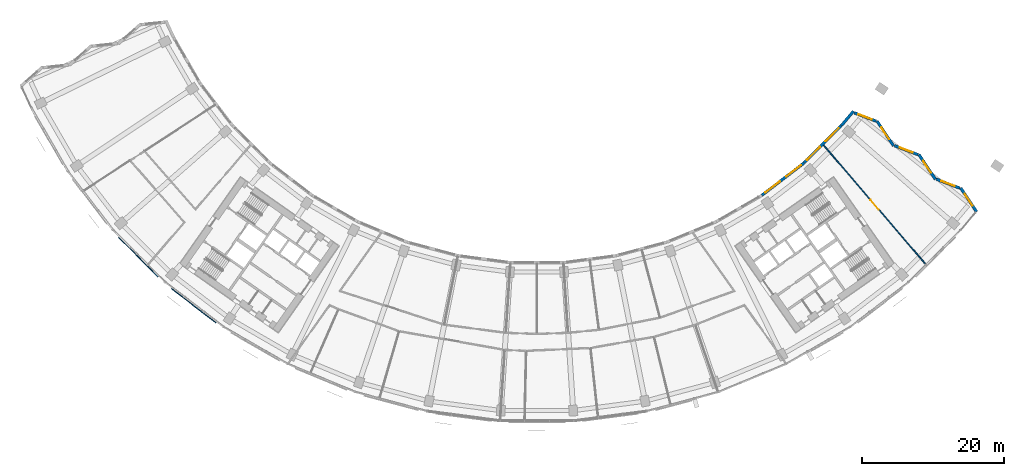
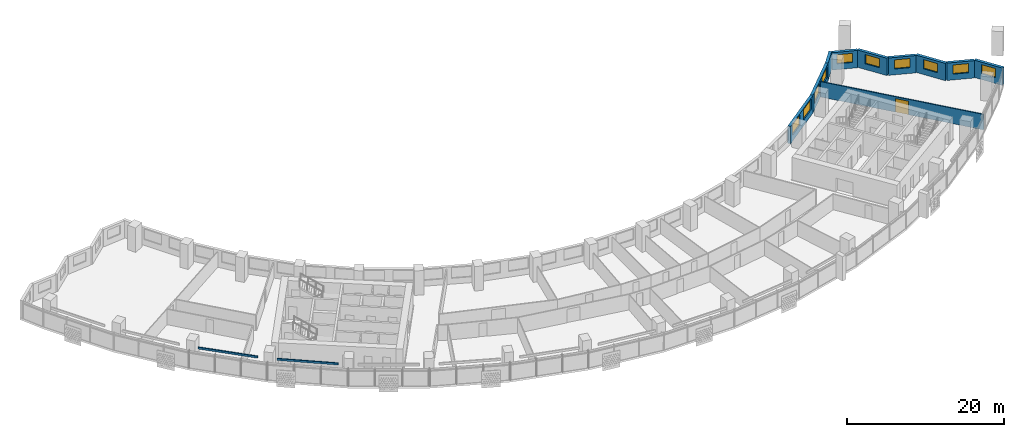
# One storey, part 8 of 29: 10 walls, 10 windows, 2 discrete accessories, 1 door, 11 openings.
"""IFC4 building model written with IfcOpenShell, lengths in metres."""

from ifc_helpers import new_model, si_unit, direction, frame, frame_2d, origin, origin_2d, place, context, subcontext, project, spatial, rectangle, extrude, material, layer, layer_set, type_object, element, fill, save


model = new_model("IFC4")

# Units and contexts
model_context = context("Model", 3, precision=1e-05, world=origin(), true_north=direction((0.0, 1.0)))
body_context = subcontext(model_context, "Body", "Model", "MODEL_VIEW")
ifc_project = project(units=[si_unit("LENGTHUNIT", "METRE"), si_unit("AREAUNIT", "SQUARE_METRE"), si_unit("VOLUMEUNIT", "CUBIC_METRE"), si_unit("PLANEANGLEUNIT", "RADIAN"), si_unit("MASSUNIT", "GRAM", prefix="KILO")], contexts=[model_context])

# Site, building, storey
site_placement = place(None, origin())
site = spatial("IfcSite", under=ifc_project, at=site_placement, CompositionType="ELEMENT")
building_placement = place(site_placement, origin())
building = spatial("IfcBuilding", under=site, at=building_placement, Name="Qamariyya Broadcast Tower", CompositionType="ELEMENT")
storey_placement = place(building_placement, frame((0.0, 0.0, 136.699951171875)))
storey = spatial("IfcBuildingStorey", under=building, at=storey_placement, Name="L31", CompositionType="ELEMENT", Elevation=136.699951171875)

# Wall, opening, door
ifc_material_1 = material(Name="Gypsum board partition")
ifc_layer_1 = layer(ifc_material_1, 0.14990234375)
ifc_layer_set_1 = layer_set([ifc_layer_1], Name="Corridor partition 150 EI 60")
wall_type_1 = type_object("IfcWallType", Name="Corridor partition 150 EI 60", PredefinedType="PARTITIONING", material=ifc_layer_set_1)
wall_1_placement = place(storey_placement, frame((40.267578125, -40.310791015625, 0.0), z_axis=(0.0, 0.0, 1.0), x_axis=(0.650987681244, -0.759088294514, 0.0)))
wall_1 = element("IfcWall", 1, at=wall_1_placement, inside=storey, type_object=wall_type_1, Name="Partition L31-040", PredefinedType="PARTITIONING", context=body_context, shape_type="SweptSolid", body=[
    extrude(rectangle(XDim=22.017822265625, YDim=0.14990234375, at=frame_2d((11.0087890625, 0.0))), origin(), (0.0, 0.0, 1.0), 2.400146484375),
])
opening_1_placement = place(wall_1_placement, frame((10.10888671875, 0.0, 0.0)))
opening_1 = element("IfcOpeningElement", 2, at=opening_1_placement, cuts=wall_1, Name="Opening L31-D19", PredefinedType="OPENING", context=body_context, shape_type="SweptSolid", body=[
    extrude(rectangle(XDim=1.800048828125, YDim=2.10009765625, at=frame_2d((0.89990234375, 1.050048828125))), frame((0.0, 0.0849609375, 0.0), z_axis=(0.0, -1.0, 0.0), x_axis=(1.0, 0.0, 0.0)), (0.0, 0.0, 1.0), 0.169921875),
])
ifc_material_2 = material(Name="Timber fire door leaf", Category="wood")
door_type = type_object("IfcDoorType", Name="Double fire door 1800 x 2100 FD60", OperationType="NOTDEFINED", PredefinedType="DOOR", material=ifc_material_2)
door_placement = place(opening_1_placement, origin())
door = element("IfcDoor", 3, at=door_placement, inside=storey, type_object=door_type, Name="Door L31-D19", OperationType="DOUBLE_DOOR_SINGLE_SWING", OverallHeight=2.10009765625, OverallWidth=1.800048828125, PredefinedType="DOOR", context=body_context, shape_type="SweptSolid", body=[
    extrude(rectangle(XDim=1.800048828125, YDim=2.10009765625, at=frame_2d((0.89990234375, 1.050048828125))), frame((0.0, 0.02490234375, 0.0), z_axis=(0.0, -1.0, 0.0), x_axis=(1.0, 0.0, 0.0)), (0.0, 0.0, 1.0), 0.050048828125),
])
fill(opening_1, door)

# Wall, opening, window
ifc_material_3 = material(Name="Terracotta", Category="masonry")
ifc_layer_2 = layer(ifc_material_3, 0.39990234375)
ifc_layer_set_2 = layer_set([ifc_layer_2], Name="Terracotta clad wall 400")
wall_type_2 = type_object("IfcWallType", Name="Terracotta clad wall 400", PredefinedType="SOLIDWALL", material=ifc_layer_set_2)
wall_2_placement = place(storey_placement, frame((61.756591796875, -49.649169921875, 0.0), z_axis=(0.0, 0.0, 1.0), x_axis=(-0.555008985058, 0.831844352331, 0.0)))
wall_2 = element("IfcWall", 4, at=wall_2_placement, inside=storey, type_object=wall_type_2, Name="e-wl-L31-capE0", PredefinedType="SOLIDWALL", context=body_context, shape_type="SweptSolid", body=[
    extrude(rectangle(XDim=4.013427734375, YDim=0.39990234375, at=frame_2d((2.0068359375, 0.0))), origin(), (0.0, 0.0, 1.0), 2.699951171875),
])
opening_2_placement = place(wall_2_placement, frame((1.0068359375, 0.0, 0.89990234375)))
opening_2 = element("IfcOpeningElement", 5, at=opening_2_placement, cuts=wall_2, Name="Opening W4", PredefinedType="OPENING", context=body_context, shape_type="SweptSolid", body=[
    extrude(rectangle(XDim=2.0, YDim=1.425048828125, at=frame_2d((1.0, 0.71240234375))), frame((0.0, 0.2099609375, 0.0), z_axis=(0.0, -1.0, 0.0), x_axis=(1.0, 0.0, 0.0)), (0.0, 0.0, 1.0), 0.419921875),
])
ifc_material_4 = material(Name="Clear low-e double glazed unit in aluminium frame", Category="aluminium")
window_type_1 = type_object("IfcWindowType", Name="Horn bay window 2000 x 1425", PartitioningType="SINGLE_PANEL", PredefinedType="WINDOW", material=ifc_material_4)
window_1_placement = place(opening_2_placement, origin())
window_1 = element("IfcWindow", 6, at=window_1_placement, inside=storey, type_object=window_type_1, Name="e-w-L31-capE0", OverallHeight=1.425048828125, OverallWidth=2.0, PartitioningType="SINGLE_PANEL", PredefinedType="WINDOW", context=body_context, shape_type="SweptSolid", body=[
    extrude(rectangle(XDim=2.0, YDim=1.425048828125, at=frame_2d((1.0, 0.71240234375))), frame((0.0, 0.030029296875, 0.0), z_axis=(0.0, -1.0, 0.0), x_axis=(1.0, 0.0, 0.0)), (0.0, 0.0, 1.0), 0.06005859375),
])
fill(opening_2, window_1)

wall_3_placement = place(storey_placement, frame((59.3974609375, -46.33154296875, 0.0), z_axis=(0.0, 0.0, 1.0), x_axis=(-0.933908409225, 0.357512353884, 0.0)))
wall_3 = element("IfcWall", 7, at=wall_3_placement, inside=storey, type_object=wall_type_2, Name="e-wl-L31-capE1", PredefinedType="SOLIDWALL", context=body_context, shape_type="SweptSolid", body=[
    extrude(rectangle(XDim=3.525634765625, YDim=0.39990234375, at=frame_2d((1.7626953125, 0.0))), origin(), (0.0, 0.0, 1.0), 2.699951171875),
])
opening_3_placement = place(wall_3_placement, frame((0.762939453125, 0.0, 0.89990234375)))
opening_3 = element("IfcOpeningElement", 8, at=opening_3_placement, cuts=wall_3, Name="Opening W4", PredefinedType="OPENING", context=body_context, shape_type="SweptSolid", body=[
    extrude(rectangle(XDim=2.0, YDim=1.425048828125, at=frame_2d((1.0, 0.71240234375))), frame((0.0, 0.2099609375, 0.0), z_axis=(0.0, -1.0, 0.0), x_axis=(1.0, 0.0, 0.0)), (0.0, 0.0, 1.0), 0.419921875),
])
window_2_placement = place(opening_3_placement, origin())
window_2 = element("IfcWindow", 9, at=window_2_placement, inside=storey, type_object=window_type_1, Name="e-w-L31-capE1", OverallHeight=1.425048828125, OverallWidth=2.0, PartitioningType="SINGLE_PANEL", PredefinedType="WINDOW", context=body_context, shape_type="SweptSolid", body=[
    extrude(rectangle(XDim=2.0, YDim=1.425048828125, at=frame_2d((1.0, 0.71240234375))), frame((0.0, 0.030029296875, 0.0), z_axis=(0.0, -1.0, 0.0), x_axis=(1.0, 0.0, 0.0)), (0.0, 0.0, 1.0), 0.06005859375),
])
fill(opening_3, window_2)

wall_4_placement = place(storey_placement, frame((55.97314453125, -45.091796875, 0.0), z_axis=(0.0, 0.0, 1.0), x_axis=(-0.555062932656, 0.831808355808, 0.0)))
wall_4 = element("IfcWall", 10, at=wall_4_placement, inside=storey, type_object=wall_type_2, Name="e-wl-L31-capE2", PredefinedType="SOLIDWALL", context=body_context, shape_type="SweptSolid", body=[
    extrude(rectangle(XDim=4.193115234375, YDim=0.39990234375, at=frame_2d((2.0966796875, 0.0))), origin(), (0.0, 0.0, 1.0), 2.699951171875),
])
opening_4_placement = place(wall_4_placement, frame((1.0966796875, 0.0, 0.89990234375)))
opening_4 = element("IfcOpeningElement", 11, at=opening_4_placement, cuts=wall_4, Name="Opening W4", PredefinedType="OPENING", context=body_context, shape_type="SweptSolid", body=[
    extrude(rectangle(XDim=2.0, YDim=1.425048828125, at=frame_2d((1.0, 0.71240234375))), frame((0.0, 0.2099609375, 0.0), z_axis=(0.0, -1.0, 0.0), x_axis=(1.0, 0.0, 0.0)), (0.0, 0.0, 1.0), 0.419921875),
])
window_3_placement = place(opening_4_placement, origin())
window_3 = element("IfcWindow", 12, at=window_3_placement, inside=storey, type_object=window_type_1, Name="e-w-L31-capE2", OverallHeight=1.425048828125, OverallWidth=2.0, PartitioningType="SINGLE_PANEL", PredefinedType="WINDOW", context=body_context, shape_type="SweptSolid", body=[
    extrude(rectangle(XDim=2.0, YDim=1.425048828125, at=frame_2d((1.0, 0.71240234375))), frame((0.0, 0.030029296875, 0.0), z_axis=(0.0, -1.0, 0.0), x_axis=(1.0, 0.0, 0.0)), (0.0, 0.0, 1.0), 0.06005859375),
])
fill(opening_4, window_3)

wall_5_placement = place(storey_placement, frame((53.51416015625, -41.624755859375, 0.0), z_axis=(0.0, 0.0, 1.0), x_axis=(-0.933951221747, 0.357400497198, 0.0)))
wall_5 = element("IfcWall", 13, at=wall_5_placement, inside=storey, type_object=wall_type_2, Name="e-wl-L31-capE3", PredefinedType="SOLIDWALL", context=body_context, shape_type="SweptSolid", body=[
    extrude(rectangle(XDim=3.52490234375, YDim=0.39990234375, at=frame_2d((1.762451171875, 0.0))), origin(), (0.0, 0.0, 1.0), 2.699951171875),
])
opening_5_placement = place(wall_5_placement, frame((0.762451171875, 0.0, 0.89990234375)))
opening_5 = element("IfcOpeningElement", 14, at=opening_5_placement, cuts=wall_5, Name="Opening W4", PredefinedType="OPENING", context=body_context, shape_type="SweptSolid", body=[
    extrude(rectangle(XDim=2.0, YDim=1.425048828125, at=frame_2d((1.0, 0.71240234375))), frame((0.0, 0.2099609375, 0.0), z_axis=(0.0, -1.0, 0.0), x_axis=(1.0, 0.0, 0.0)), (0.0, 0.0, 1.0), 0.419921875),
])
window_4_placement = place(opening_5_placement, origin())
window_4 = element("IfcWindow", 15, at=window_4_placement, inside=storey, type_object=window_type_1, Name="e-w-L31-capE3", OverallHeight=1.425048828125, OverallWidth=2.0, PartitioningType="SINGLE_PANEL", PredefinedType="WINDOW", context=body_context, shape_type="SweptSolid", body=[
    extrude(rectangle(XDim=2.0, YDim=1.425048828125, at=frame_2d((1.0, 0.71240234375))), frame((0.0, 0.030029296875, 0.0), z_axis=(0.0, -1.0, 0.0), x_axis=(1.0, 0.0, 0.0)), (0.0, 0.0, 1.0), 0.06005859375),
])
fill(opening_5, window_4)

wall_6_placement = place(storey_placement, frame((50.0908203125, -40.3857421875, 0.0), z_axis=(0.0, 0.0, 1.0), x_axis=(-0.555223937366, 0.83170089538, 0.0)))
wall_6 = element("IfcWall", 16, at=wall_6_placement, inside=storey, type_object=wall_type_2, Name="e-wl-L31-capE4", PredefinedType="SOLIDWALL", context=body_context, shape_type="SweptSolid", body=[
    extrude(rectangle(XDim=4.1943359375, YDim=0.39990234375, at=frame_2d((2.09716796875, 0.0))), origin(), (0.0, 0.0, 1.0), 2.699951171875),
])
opening_6_placement = place(wall_6_placement, frame((1.09716796875, 0.0, 0.89990234375)))
opening_6 = element("IfcOpeningElement", 17, at=opening_6_placement, cuts=wall_6, Name="Opening W4", PredefinedType="OPENING", context=body_context, shape_type="SweptSolid", body=[
    extrude(rectangle(XDim=2.0, YDim=1.425048828125, at=frame_2d((1.0, 0.71240234375))), frame((0.0, 0.2099609375, 0.0), z_axis=(0.0, -1.0, 0.0), x_axis=(1.0, 0.0, 0.0)), (0.0, 0.0, 1.0), 0.419921875),
])
window_5_placement = place(opening_6_placement, origin())
window_5 = element("IfcWindow", 18, at=window_5_placement, inside=storey, type_object=window_type_1, Name="e-w-L31-capE4", OverallHeight=1.425048828125, OverallWidth=2.0, PartitioningType="SINGLE_PANEL", PredefinedType="WINDOW", context=body_context, shape_type="SweptSolid", body=[
    extrude(rectangle(XDim=2.0, YDim=1.425048828125, at=frame_2d((1.0, 0.71240234375))), frame((0.0, 0.030029296875, 0.0), z_axis=(0.0, -1.0, 0.0), x_axis=(1.0, 0.0, 0.0)), (0.0, 0.0, 1.0), 0.06005859375),
])
fill(opening_6, window_5)

wall_7_placement = place(storey_placement, frame((47.630615234375, -36.91796875, 0.0), z_axis=(0.0, 0.0, 1.0), x_axis=(-0.933983809283, 0.357315328522, 0.0)))
wall_7 = element("IfcWall", 19, at=wall_7_placement, inside=storey, type_object=wall_type_2, Name="e-wl-L31-capE5", PredefinedType="SOLIDWALL", context=body_context, shape_type="SweptSolid", body=[
    extrude(rectangle(XDim=3.275634765625, YDim=0.39990234375, at=frame_2d((1.6376953125, 0.0))), origin(), (0.0, 0.0, 1.0), 2.699951171875),
])
opening_7_placement = place(wall_7_placement, frame((0.6376953125, 0.0, 0.89990234375)))
opening_7 = element("IfcOpeningElement", 20, at=opening_7_placement, cuts=wall_7, Name="Opening W4", PredefinedType="OPENING", context=body_context, shape_type="SweptSolid", body=[
    extrude(rectangle(XDim=2.0, YDim=1.425048828125, at=frame_2d((1.0, 0.71240234375))), frame((0.0, 0.2099609375, 0.0), z_axis=(0.0, -1.0, 0.0), x_axis=(1.0, 0.0, 0.0)), (0.0, 0.0, 1.0), 0.419921875),
])
window_6_placement = place(opening_7_placement, origin())
window_6 = element("IfcWindow", 21, at=window_6_placement, inside=storey, type_object=window_type_1, Name="e-w-L31-capE5", OverallHeight=1.425048828125, OverallWidth=2.0, PartitioningType="SINGLE_PANEL", PredefinedType="WINDOW", context=body_context, shape_type="SweptSolid", body=[
    extrude(rectangle(XDim=2.0, YDim=1.425048828125, at=frame_2d((1.0, 0.71240234375))), frame((0.0, 0.030029296875, 0.0), z_axis=(0.0, -1.0, 0.0), x_axis=(1.0, 0.0, 0.0)), (0.0, 0.0, 1.0), 0.06005859375),
])
fill(opening_7, window_6)

# Wall, openings, windows
wall_8_placement = place(storey_placement, frame((37.536865234375, -42.764892578125, 0.0), z_axis=(0.0, 0.0, 1.0), x_axis=(-0.793363487476, -0.608748204711, 0.0)))
wall_8 = element("IfcWall", 22, at=wall_8_placement, inside=storey, type_object=wall_type_2, Name="e-wl-L31-in140", PredefinedType="SOLIDWALL", context=body_context, shape_type="SweptSolid", body=[
    extrude(rectangle(XDim=7.492919921875, YDim=0.39990234375, at=frame_2d((3.74658203125, 0.0))), origin(), (0.0, 0.0, 1.0), 2.699951171875),
])
opening_8_placement = place(wall_8_placement, frame((4.300537109375, 0.0, 0.89990234375)))
opening_8 = element("IfcOpeningElement", 23, at=opening_8_placement, cuts=wall_8, Name="Opening W1", PredefinedType="OPENING", context=body_context, shape_type="SweptSolid", body=[
    extrude(rectangle(XDim=2.60009765625, YDim=1.64990234375, at=frame_2d((1.300048828125, 0.824951171875))), frame((0.0, 0.2099609375, 0.0), z_axis=(0.0, -1.0, 0.0), x_axis=(1.0, 0.0, 0.0)), (0.0, 0.0, 1.0), 0.419921875),
])
opening_9_placement = place(wall_8_placement, frame((0.59228515625, 0.0, 0.89990234375)))
opening_9 = element("IfcOpeningElement", 24, at=opening_9_placement, cuts=wall_8, Name="Opening W1", PredefinedType="OPENING", context=body_context, shape_type="SweptSolid", body=[
    extrude(rectangle(XDim=2.60009765625, YDim=1.64990234375, at=frame_2d((1.300048828125, 0.824951171875))), frame((0.0, 0.2099609375, 0.0), z_axis=(0.0, -1.0, 0.0), x_axis=(1.0, 0.0, 0.0)), (0.0, 0.0, 1.0), 0.419921875),
])
window_type_2 = type_object("IfcWindowType", Name="Ribbon window 2600 x 1650", PartitioningType="SINGLE_PANEL", PredefinedType="WINDOW", material=ifc_material_4)
window_7_placement = place(opening_8_placement, origin())
window_7 = element("IfcWindow", 25, at=window_7_placement, inside=storey, type_object=window_type_2, Name="e-w-L31-in14-0", OverallHeight=1.64990234375, OverallWidth=2.60009765625, PartitioningType="SINGLE_PANEL", PredefinedType="WINDOW", context=body_context, shape_type="SweptSolid", body=[
    extrude(rectangle(XDim=2.60009765625, YDim=1.64990234375, at=frame_2d((1.300048828125, 0.824951171875))), frame((0.0, 0.030029296875, 0.0), z_axis=(0.0, -1.0, 0.0), x_axis=(1.0, 0.0, 0.0)), (0.0, 0.0, 1.0), 0.06005859375),
])
fill(opening_8, window_7)
window_8_placement = place(opening_9_placement, origin())
window_8 = element("IfcWindow", 26, at=window_8_placement, inside=storey, type_object=window_type_2, Name="e-w-L31-in14-1", OverallHeight=1.64990234375, OverallWidth=2.60009765625, PartitioningType="SINGLE_PANEL", PredefinedType="WINDOW", context=body_context, shape_type="SweptSolid", body=[
    extrude(rectangle(XDim=2.60009765625, YDim=1.64990234375, at=frame_2d((1.300048828125, 0.824951171875))), frame((0.0, 0.030029296875, 0.0), z_axis=(0.0, -1.0, 0.0), x_axis=(1.0, 0.0, 0.0)), (0.0, 0.0, 1.0), 0.06005859375),
])
fill(opening_9, window_8)

wall_9_placement = place(storey_placement, frame((42.754150390625, -37.54296875, 0.0), z_axis=(0.0, 0.0, 1.0), x_axis=(-0.707106781187, -0.707106781187, 0.0)))
wall_9 = element("IfcWall", 27, at=wall_9_placement, inside=storey, type_object=wall_type_2, Name="e-wl-L31-in150", PredefinedType="SOLIDWALL", context=body_context, shape_type="SweptSolid", body=[
    extrude(rectangle(XDim=7.35546875, YDim=0.39990234375, at=frame_2d((3.677734375, 0.0))), origin(), (0.0, 0.0, 1.0), 2.699951171875),
])
opening_10_placement = place(wall_9_placement, frame((4.239013671875, 0.0, 0.89990234375)))
opening_10 = element("IfcOpeningElement", 28, at=opening_10_placement, cuts=wall_9, Name="Opening W1", PredefinedType="OPENING", context=body_context, shape_type="SweptSolid", body=[
    extrude(rectangle(XDim=2.60009765625, YDim=1.64990234375, at=frame_2d((1.300048828125, 0.824951171875))), frame((0.0, 0.2099609375, 0.0), z_axis=(0.0, -1.0, 0.0), x_axis=(1.0, 0.0, 0.0)), (0.0, 0.0, 1.0), 0.419921875),
])
opening_11_placement = place(wall_9_placement, frame((0.530517578125, 0.0, 0.89990234375)))
opening_11 = element("IfcOpeningElement", 29, at=opening_11_placement, cuts=wall_9, Name="Opening W1", PredefinedType="OPENING", context=body_context, shape_type="SweptSolid", body=[
    extrude(rectangle(XDim=2.60009765625, YDim=1.64990234375, at=frame_2d((1.300048828125, 0.824951171875))), frame((0.0, 0.2099609375, 0.0), z_axis=(0.0, -1.0, 0.0), x_axis=(1.0, 0.0, 0.0)), (0.0, 0.0, 1.0), 0.419921875),
])
window_9_placement = place(opening_10_placement, origin())
window_9 = element("IfcWindow", 30, at=window_9_placement, inside=storey, type_object=window_type_2, Name="e-w-L31-in15-0", OverallHeight=1.64990234375, OverallWidth=2.60009765625, PartitioningType="SINGLE_PANEL", PredefinedType="WINDOW", context=body_context, shape_type="SweptSolid", body=[
    extrude(rectangle(XDim=2.60009765625, YDim=1.64990234375, at=frame_2d((1.300048828125, 0.824951171875))), frame((0.0, 0.030029296875, 0.0), z_axis=(0.0, -1.0, 0.0), x_axis=(1.0, 0.0, 0.0)), (0.0, 0.0, 1.0), 0.06005859375),
])
fill(opening_10, window_9)
window_10_placement = place(opening_11_placement, origin())
window_10 = element("IfcWindow", 31, at=window_10_placement, inside=storey, type_object=window_type_2, Name="e-w-L31-in15-1", OverallHeight=1.64990234375, OverallWidth=2.60009765625, PartitioningType="SINGLE_PANEL", PredefinedType="WINDOW", context=body_context, shape_type="SweptSolid", body=[
    extrude(rectangle(XDim=2.60009765625, YDim=1.64990234375, at=frame_2d((1.300048828125, 0.824951171875))), frame((0.0, 0.030029296875, 0.0), z_axis=(0.0, -1.0, 0.0), x_axis=(1.0, 0.0, 0.0)), (0.0, 0.0, 1.0), 0.06005859375),
])
fill(opening_11, window_10)

# Wall
wall_10_placement = place(storey_placement, frame((44.458984375, -35.51220703125, 0.0), z_axis=(0.0, 0.0, 1.0), x_axis=(-0.642178652961, -0.766555006298, 0.0)))
element("IfcWall", 32, at=wall_10_placement, inside=storey, type_object=wall_type_2, Name="e-wl-L31-in160", PredefinedType="SOLIDWALL", context=body_context, shape_type="SweptSolid", body=[
    extrude(rectangle(XDim=2.63427734375, YDim=0.39990234375, at=frame_2d((1.317138671875, 0.0))), origin(), (0.0, 0.0, 1.0), 2.699951171875),
])

# Discrete accessories
ifc_material_5 = material(Name="Stainless steel 316", Category="steel")
discrete_accessory_type = type_object("IfcDiscreteAccessoryType", Name="Slab edge fixing angle, stainless steel", PredefinedType="BRACKET", material=ifc_material_5)
for number, where, z_axis, x_axis, name in (
    (33, (-56.006591796875, -56.006591796875, 3.2998046875), (0.0, 0.0, 1.0), (0.707106781187, -0.707106781187, 0.0), "e-br-L31-03-0"),
    (34, (-48.217041015625, -62.837646484375, 3.2998046875), (0.0, 0.0, 1.0), (0.793353340291, -0.608761429009, 0.0), "e-br-L31-04-0"),
):
    element("IfcDiscreteAccessory", number, at=place(storey_placement, frame(where, z_axis=z_axis, x_axis=x_axis)), inside=storey, type_object=discrete_accessory_type, Name=name, PredefinedType="BRACKET", context=body_context, shape_type="SweptSolid", body=[
        extrude(rectangle(XDim=7.879638671875, YDim=0.14990234375, at=origin_2d()), origin(), (0.0, 0.0, 1.0), 0.300048828125),
    ])

save(model, "model.ifc")
